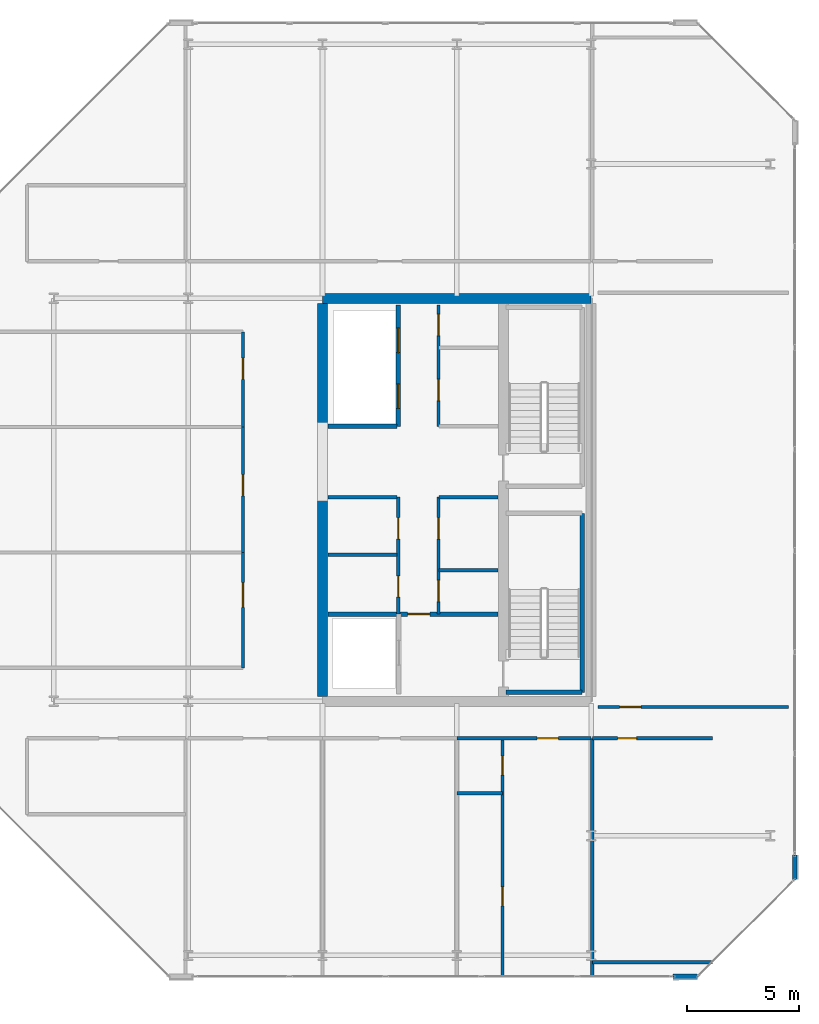
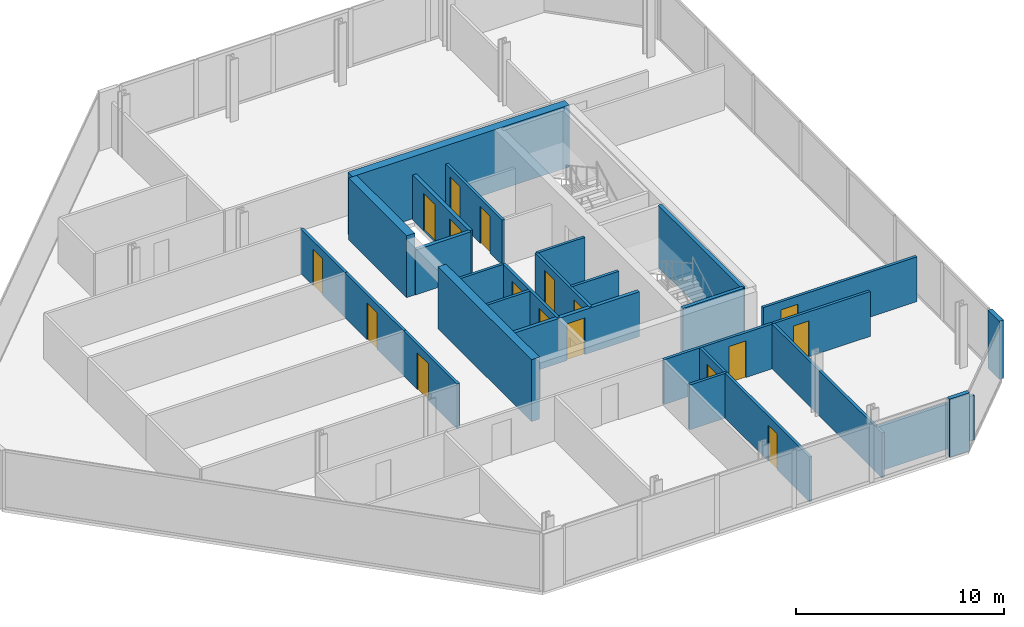
# One storey, part 14 of 17: 27 walls, 17 doors, 17 openings.
"""IFC4 building model written with IfcOpenShell, lengths in metres."""

from ifc_helpers import new_model, si_unit, direction, frame, frame_2d, origin, place, context, subcontext, project, spatial, rectangle, extrude, material, layer, layer_set, type_object, element, fill, save


model = new_model("IFC4")

# Units and contexts
model_context = context("Model", 3, precision=1e-05, world=origin(), true_north=direction((0.0, 1.0)))
body_context = subcontext(model_context, "Body", "Model", "MODEL_VIEW")
ifc_project = project(units=[si_unit("LENGTHUNIT", "METRE"), si_unit("AREAUNIT", "SQUARE_METRE"), si_unit("VOLUMEUNIT", "CUBIC_METRE"), si_unit("PLANEANGLEUNIT", "RADIAN"), si_unit("MASSUNIT", "GRAM", prefix="KILO")], contexts=[model_context])

# Site, building, storey
site_placement = place(None, origin())
site = spatial("IfcSite", under=ifc_project, at=site_placement, CompositionType="ELEMENT")
building_placement = place(site_placement, origin())
building = spatial("IfcBuilding", under=site, at=building_placement, Name="Tanjung Sevakor Pilgrim Tower", CompositionType="ELEMENT")
storey_placement = place(building_placement, frame((0.0, 0.0, 267.9599609375)))
storey = spatial("IfcBuildingStorey", under=building, at=storey_placement, Name="L75", CompositionType="ELEMENT", Elevation=267.9599609375)

# Walls
ifc_material_1 = material(Name="Concrete C60/75", Category="concrete")
ifc_layer_1 = layer(ifc_material_1, 0.449951171875)
ifc_layer_set_1 = layer_set([ifc_layer_1], Name="WALL-CW-450")
wall_type_1 = type_object("IfcWallType", Name="WALL-CW-450", PredefinedType="SHEAR", material=ifc_layer_set_1)
wall_1_placement = place(storey_placement, frame((90.0, 42.60009765625, 0.0), z_axis=(0.0, 0.0, 1.0), x_axis=(-1.0, 0.0, 0.0)))
element("IfcWall", 1, at=wall_1_placement, inside=storey, type_object=wall_type_1, Name="L75 E Core North Shear Wall", PredefinedType="SHEAR", context=body_context, shape_type="SweptSolid", body=[
    extrude(rectangle(XDim=12.0, YDim=0.449951171875, at=frame_2d((6.0, 0.0))), origin(), (0.0, 0.0, 1.0), 3.630126953125),
])
wall_2_placement = place(storey_placement, frame((78.0, 24.824951171875, 0.0), z_axis=(0.0, 0.0, 1.0), x_axis=(0.0, 1.0, 0.0)))
element("IfcWall", 2, at=wall_2_placement, inside=storey, type_object=wall_type_1, Name="L75 E Core Inner Shear Wall South", PredefinedType="SHEAR", context=body_context, shape_type="SweptSolid", body=[
    extrude(rectangle(XDim=8.97509765625, YDim=0.449951171875, at=frame_2d((4.487548828125, 0.0))), origin(), (0.0, 0.0, 1.0), 3.630126953125),
])
wall_3_placement = place(storey_placement, frame((78.0, 36.800048828125, 0.0), z_axis=(0.0, 0.0, 1.0), x_axis=(0.0, 1.0, 0.0)))
element("IfcWall", 3, at=wall_3_placement, inside=storey, type_object=wall_type_1, Name="L75 E Core Inner Shear Wall North", PredefinedType="SHEAR", context=body_context, shape_type="SweptSolid", body=[
    extrude(rectangle(XDim=5.574951171875, YDim=0.449951171875, at=frame_2d((2.78759765625, 0.0))), origin(), (0.0, 0.0, 1.0), 3.630126953125),
])
ifc_material_2 = material(Name="Concrete C40/50", Category="concrete")
ifc_layer_2 = layer(ifc_material_2, 0.14990234375)
ifc_layer_set_2 = layer_set([ifc_layer_2], Name="WT-COMP-150")
wall_type_2 = type_object("IfcWallType", Name="WT-COMP-150", PredefinedType="SOLIDWALL", material=ifc_layer_set_2)
for number, where, z_axis, x_axis, name in (
    (4, (83.199951171875, 30.449951171875, 0.0), (0.0, 0.0, 1.0), (1.0, 0.0, 0.0), "L75 Partition IW-L75-003"),
    (5, (83.199951171875, 33.719970703125, 0.0), (0.0, 0.0, 1.0), (1.0, 0.0, 0.0), "L75 Partition IW-L75-004"),
):
    element("IfcWall", number, at=place(storey_placement, frame(where, z_axis=z_axis, x_axis=x_axis)), inside=storey, type_object=wall_type_2, Name=name, PredefinedType="SOLIDWALL", context=body_context, shape_type="SweptSolid", body=[
        extrude(rectangle(XDim=2.630126953125, YDim=0.14990234375, at=frame_2d((1.31494140625, 0.0))), origin(), (0.0, 0.0, 1.0), 2.6298828125),
    ])

# Wall, openings, doors
wall_4_placement = place(storey_placement, frame((83.179931640625, 28.5, 0.0), z_axis=(0.0, 0.0, 1.0), x_axis=(0.0, 1.0, 0.0)))
wall_4 = element("IfcWall", 6, at=wall_4_placement, inside=storey, type_object=wall_type_2, Name="L75 Partition IW-L75-005", PredefinedType="SOLIDWALL", context=body_context, shape_type="SweptSolid", body=[
    extrude(rectangle(XDim=5.219970703125, YDim=0.14990234375, at=frame_2d((2.60986328125, 0.0))), origin(), (0.0, 0.0, 1.0), 2.6298828125),
])
opening_1_placement = place(wall_4_placement, frame((0.550048828125, 0.0, 0.0)))
opening_1 = element("IfcOpeningElement", 7, at=opening_1_placement, cuts=wall_4, Name="Opening ID-FD2", PredefinedType="OPENING", context=body_context, shape_type="SweptSolid", body=[
    extrude(rectangle(XDim=0.949951171875, YDim=2.14990234375, at=frame_2d((0.47509765625, 1.074951171875))), frame((0.0, 0.0849609375, 0.0), z_axis=(0.0, -1.0, 0.0), x_axis=(1.0, 0.0, 0.0)), (0.0, 0.0, 1.0), 0.169921875),
])
opening_2_placement = place(wall_4_placement, frame((3.35009765625, 0.0, 0.0)))
opening_2 = element("IfcOpeningElement", 8, at=opening_2_placement, cuts=wall_4, Name="Opening ID-FD2", PredefinedType="OPENING", context=body_context, shape_type="SweptSolid", body=[
    extrude(rectangle(XDim=0.949951171875, YDim=2.14990234375, at=frame_2d((0.47509765625, 1.074951171875))), frame((0.0, 0.0849609375, 0.0), z_axis=(0.0, -1.0, 0.0), x_axis=(1.0, 0.0, 0.0)), (0.0, 0.0, 1.0), 0.169921875),
])
ifc_material_3 = material(Name="Fire-Rated Timber", Category="wood")
door_type_1 = type_object("IfcDoorType", Name="DT-FIRE-950", OperationType="NOTDEFINED", PredefinedType="DOOR", material=ifc_material_3)
door_1_placement = place(opening_1_placement, origin())
door_1 = element("IfcDoor", 9, at=door_1_placement, inside=storey, type_object=door_type_1, Name="L75 Cleaner Store Door", OperationType="SINGLE_SWING_RIGHT", OverallHeight=2.14990234375, OverallWidth=0.949951171875, PredefinedType="DOOR", context=body_context, shape_type="SweptSolid", body=[
    extrude(rectangle(XDim=0.949951171875, YDim=2.14990234375, at=frame_2d((0.47509765625, 1.074951171875))), frame((0.0, 0.02490234375, 0.0), z_axis=(0.0, -1.0, 0.0), x_axis=(1.0, 0.0, 0.0)), (0.0, 0.0, 1.0), 0.050048828125),
])
fill(opening_1, door_1)
door_2_placement = place(opening_2_placement, origin())
door_2 = element("IfcDoor", 10, at=door_2_placement, inside=storey, type_object=door_type_1, Name="L75 Housekeeping Pantry Door", OperationType="SINGLE_SWING_LEFT", OverallHeight=2.14990234375, OverallWidth=0.949951171875, PredefinedType="DOOR", context=body_context, shape_type="SweptSolid", body=[
    extrude(rectangle(XDim=0.949951171875, YDim=2.14990234375, at=frame_2d((0.47509765625, 1.074951171875))), frame((0.0, 0.02490234375, 0.0), z_axis=(0.0, -1.0, 0.0), x_axis=(1.0, 0.0, 0.0)), (0.0, 0.0, 1.0), 0.050048828125),
])
fill(opening_2, door_2)

# Walls
for number, where, z_axis, x_axis, name in (
    (11, (78.2451171875, 31.14990234375, 0.0), (0.0, 0.0, 1.0), (1.0, 0.0, 0.0), "L75 Partition IW-L75-006"),
    (12, (78.2451171875, 33.719970703125, 0.0), (0.0, 0.0, 1.0), (1.0, 0.0, 0.0), "L75 Partition IW-L75-007"),
):
    element("IfcWall", number, at=place(storey_placement, frame(where, z_axis=z_axis, x_axis=x_axis)), inside=storey, type_object=wall_type_2, Name=name, PredefinedType="SOLIDWALL", context=body_context, shape_type="SweptSolid", body=[
        extrude(rectangle(XDim=3.074951171875, YDim=0.14990234375, at=frame_2d((1.53759765625, 0.0))), origin(), (0.0, 0.0, 1.0), 2.6298828125),
    ])

# Wall, openings, doors
wall_5_placement = place(storey_placement, frame((81.3798828125, 28.5, 0.0), z_axis=(0.0, 0.0, 1.0), x_axis=(0.0, 1.0, 0.0)))
wall_5 = element("IfcWall", 13, at=wall_5_placement, inside=storey, type_object=wall_type_2, Name="L75 Partition IW-L75-008", PredefinedType="SOLIDWALL", context=body_context, shape_type="SweptSolid", body=[
    extrude(rectangle(XDim=5.219970703125, YDim=0.14990234375, at=frame_2d((2.60986328125, 0.0))), origin(), (0.0, 0.0, 1.0), 2.6298828125),
])
opening_3_placement = place(wall_5_placement, frame((0.75, 0.0, 0.0)))
opening_3 = element("IfcOpeningElement", 14, at=opening_3_placement, cuts=wall_5, Name="Opening ID-FD2", PredefinedType="OPENING", context=body_context, shape_type="SweptSolid", body=[
    extrude(rectangle(XDim=0.949951171875, YDim=2.14990234375, at=frame_2d((0.47509765625, 1.074951171875))), frame((0.0, 0.0849609375, 0.0), z_axis=(0.0, -1.0, 0.0), x_axis=(1.0, 0.0, 0.0)), (0.0, 0.0, 1.0), 0.169921875),
])
opening_4_placement = place(wall_5_placement, frame((3.35009765625, 0.0, 0.0)))
opening_4 = element("IfcOpeningElement", 15, at=opening_4_placement, cuts=wall_5, Name="Opening ID-FD2", PredefinedType="OPENING", context=body_context, shape_type="SweptSolid", body=[
    extrude(rectangle(XDim=0.949951171875, YDim=2.14990234375, at=frame_2d((0.47509765625, 1.074951171875))), frame((0.0, 0.0849609375, 0.0), z_axis=(0.0, -1.0, 0.0), x_axis=(1.0, 0.0, 0.0)), (0.0, 0.0, 1.0), 0.169921875),
])
door_3_placement = place(opening_3_placement, origin())
door_3 = element("IfcDoor", 16, at=door_3_placement, inside=storey, type_object=door_type_1, Name="L75 Accessible WC Door", OperationType="SINGLE_SWING_RIGHT", OverallHeight=2.14990234375, OverallWidth=0.949951171875, PredefinedType="DOOR", context=body_context, shape_type="SweptSolid", body=[
    extrude(rectangle(XDim=0.949951171875, YDim=2.14990234375, at=frame_2d((0.47509765625, 1.074951171875))), frame((0.0, 0.02490234375, 0.0), z_axis=(0.0, -1.0, 0.0), x_axis=(1.0, 0.0, 0.0)), (0.0, 0.0, 1.0), 0.050048828125),
])
fill(opening_3, door_3)
door_4_placement = place(opening_4_placement, origin())
door_4 = element("IfcDoor", 17, at=door_4_placement, inside=storey, type_object=door_type_1, Name="L75 Core Service Door", OperationType="SINGLE_SWING_LEFT", OverallHeight=2.14990234375, OverallWidth=0.949951171875, PredefinedType="DOOR", context=body_context, shape_type="SweptSolid", body=[
    extrude(rectangle(XDim=0.949951171875, YDim=2.14990234375, at=frame_2d((0.47509765625, 1.074951171875))), frame((0.0, 0.02490234375, 0.0), z_axis=(0.0, -1.0, 0.0), x_axis=(1.0, 0.0, 0.0)), (0.0, 0.0, 1.0), 0.050048828125),
])
fill(opening_4, door_4)

wall_6_placement = place(storey_placement, frame((83.179931640625, 36.8798828125, 0.0), z_axis=(0.0, 0.0, 1.0), x_axis=(0.0, 1.0, 0.0)))
wall_6 = element("IfcWall", 18, at=wall_6_placement, inside=storey, type_object=wall_type_2, Name="L75 Partition IW-L75-011", PredefinedType="SOLIDWALL", context=body_context, shape_type="SweptSolid", body=[
    extrude(rectangle(XDim=5.420166015625, YDim=0.14990234375, at=frame_2d((2.7099609375, 0.0))), origin(), (0.0, 0.0, 1.0), 2.6298828125),
])
opening_5_placement = place(wall_6_placement, frame((1.14990234375, 0.0, 0.0)))
opening_5 = element("IfcOpeningElement", 19, at=opening_5_placement, cuts=wall_6, Name="Opening ID-FD2", PredefinedType="OPENING", context=body_context, shape_type="SweptSolid", body=[
    extrude(rectangle(XDim=0.949951171875, YDim=2.14990234375, at=frame_2d((0.47509765625, 1.074951171875))), frame((0.0, 0.0849609375, 0.0), z_axis=(0.0, -1.0, 0.0), x_axis=(1.0, 0.0, 0.0)), (0.0, 0.0, 1.0), 0.169921875),
])
opening_6_placement = place(wall_6_placement, frame((4.050048828125, 0.0, 0.0)))
opening_6 = element("IfcOpeningElement", 20, at=opening_6_placement, cuts=wall_6, Name="Opening ID-FD2", PredefinedType="OPENING", context=body_context, shape_type="SweptSolid", body=[
    extrude(rectangle(XDim=0.949951171875, YDim=2.14990234375, at=frame_2d((0.47509765625, 1.074951171875))), frame((0.0, 0.0849609375, 0.0), z_axis=(0.0, -1.0, 0.0), x_axis=(1.0, 0.0, 0.0)), (0.0, 0.0, 1.0), 0.169921875),
])
door_5_placement = place(opening_5_placement, origin())
door_5 = element("IfcDoor", 21, at=door_5_placement, inside=storey, type_object=door_type_1, Name="L75 Core Study Room Door", OperationType="SINGLE_SWING_RIGHT", OverallHeight=2.14990234375, OverallWidth=0.949951171875, PredefinedType="DOOR", context=body_context, shape_type="SweptSolid", body=[
    extrude(rectangle(XDim=0.949951171875, YDim=2.14990234375, at=frame_2d((0.47509765625, 1.074951171875))), frame((0.0, 0.02490234375, 0.0), z_axis=(0.0, -1.0, 0.0), x_axis=(1.0, 0.0, 0.0)), (0.0, 0.0, 1.0), 0.050048828125),
])
fill(opening_5, door_5)
door_6_placement = place(opening_6_placement, origin())
door_6 = element("IfcDoor", 22, at=door_6_placement, inside=storey, type_object=door_type_1, Name="L75 Service Store Door", OperationType="SINGLE_SWING_LEFT", OverallHeight=2.14990234375, OverallWidth=0.949951171875, PredefinedType="DOOR", context=body_context, shape_type="SweptSolid", body=[
    extrude(rectangle(XDim=0.949951171875, YDim=2.14990234375, at=frame_2d((0.47509765625, 1.074951171875))), frame((0.0, 0.02490234375, 0.0), z_axis=(0.0, -1.0, 0.0), x_axis=(1.0, 0.0, 0.0)), (0.0, 0.0, 1.0), 0.050048828125),
])
fill(opening_6, door_6)

# Wall, opening, door
wall_7_placement = place(storey_placement, frame((90.300048828125, 24.35009765625, 0.0), z_axis=(0.0, 0.0, 1.0), x_axis=(1.0, 0.0, 0.0)))
wall_7 = element("IfcWall", 23, at=wall_7_placement, inside=storey, type_object=wall_type_2, Name="L75 Partition IW-L75-022", PredefinedType="SOLIDWALL", context=body_context, shape_type="SweptSolid", body=[
    extrude(rectangle(XDim=8.52001953125, YDim=0.14990234375, at=frame_2d((4.260009765625, 0.0))), origin(), (0.0, 0.0, 1.0), 2.6298828125),
])
opening_7_placement = place(wall_7_placement, frame((0.97509765625, 0.0, 0.0)))
opening_7 = element("IfcOpeningElement", 24, at=opening_7_placement, cuts=wall_7, Name="Opening ID-RM1", PredefinedType="OPENING", context=body_context, shape_type="SweptSolid", body=[
    extrude(rectangle(XDim=0.949951171875, YDim=2.14990234375, at=frame_2d((0.47509765625, 1.074951171875))), frame((0.0, 0.0849609375, 0.0), z_axis=(0.0, -1.0, 0.0), x_axis=(1.0, 0.0, 0.0)), (0.0, 0.0, 1.0), 0.169921875),
])
ifc_material_4 = material(Name="Hardwood Timber", Category="wood")
door_type_2 = type_object("IfcDoorType", Name="DT-INT-950", OperationType="NOTDEFINED", PredefinedType="DOOR", material=ifc_material_4)
door_7_placement = place(opening_7_placement, origin())
door_7 = element("IfcDoor", 25, at=door_7_placement, inside=storey, type_object=door_type_2, Name="L75 East Crown Sanctuary Door", OperationType="SINGLE_SWING_RIGHT", OverallHeight=2.14990234375, OverallWidth=0.949951171875, PredefinedType="DOOR", context=body_context, shape_type="SweptSolid", body=[
    extrude(rectangle(XDim=0.949951171875, YDim=2.14990234375, at=frame_2d((0.47509765625, 1.074951171875))), frame((0.0, 0.02490234375, 0.0), z_axis=(0.0, -1.0, 0.0), x_axis=(1.0, 0.0, 0.0)), (0.0, 0.0, 1.0), 0.050048828125),
])
fill(opening_7, door_7)

# Wall
wall_8_placement = place(storey_placement, frame((90.050048828125, 12.949951171875, 0.0), z_axis=(0.0, 0.0, 1.0), x_axis=(1.0, 0.0, 0.0)))
element("IfcWall", 26, at=wall_8_placement, inside=storey, type_object=wall_type_2, Name="L75 Partition IW-L75-024", PredefinedType="SOLIDWALL", context=body_context, shape_type="SweptSolid", body=[
    extrude(rectangle(XDim=5.369873046875, YDim=0.14990234375, at=frame_2d((2.68505859375, 0.0))), origin(), (0.0, 0.0, 1.0), 2.6298828125),
])

# Wall, opening, door
wall_9_placement = place(storey_placement, frame((90.050048828125, 22.949951171875, 0.0), z_axis=(0.0, 0.0, 1.0), x_axis=(1.0, 0.0, 0.0)))
wall_9 = element("IfcWall", 27, at=wall_9_placement, inside=storey, type_object=wall_type_2, Name="L75 Partition IW-L75-025", PredefinedType="SOLIDWALL", context=body_context, shape_type="SweptSolid", body=[
    extrude(rectangle(XDim=5.369873046875, YDim=0.14990234375, at=frame_2d((2.68505859375, 0.0))), origin(), (0.0, 0.0, 1.0), 2.6298828125),
])
opening_8_placement = place(wall_9_placement, frame((1.125, 0.0, 0.0)))
opening_8 = element("IfcOpeningElement", 28, at=opening_8_placement, cuts=wall_9, Name="Opening ID-WC1", PredefinedType="OPENING", context=body_context, shape_type="SweptSolid", body=[
    extrude(rectangle(XDim=0.85009765625, YDim=2.10009765625, at=frame_2d((0.425048828125, 1.050048828125))), frame((0.0, 0.0849609375, 0.0), z_axis=(0.0, -1.0, 0.0), x_axis=(1.0, 0.0, 0.0)), (0.0, 0.0, 1.0), 0.169921875),
])
ifc_material_5 = material(Name="Moisture-Resistant Timber", Category="wood")
door_type_3 = type_object("IfcDoorType", Name="DT-INT-850", OperationType="NOTDEFINED", PredefinedType="DOOR", material=ifc_material_5)
door_8_placement = place(opening_8_placement, origin())
door_8 = element("IfcDoor", 29, at=door_8_placement, inside=storey, type_object=door_type_3, Name="L75 SE Crown Study Door", OperationType="SINGLE_SWING_LEFT", OverallHeight=2.10009765625, OverallWidth=0.85009765625, PredefinedType="DOOR", context=body_context, shape_type="SweptSolid", body=[
    extrude(rectangle(XDim=0.85009765625, YDim=2.10009765625, at=frame_2d((0.425048828125, 1.050048828125))), frame((0.0, 0.02490234375, 0.0), z_axis=(0.0, -1.0, 0.0), x_axis=(1.0, 0.0, 0.0)), (0.0, 0.0, 1.0), 0.050048828125),
])
fill(opening_8, door_8)

# Wall
wall_10_placement = place(storey_placement, frame((90.050048828125, 12.340087890625, 0.0), z_axis=(0.0, 0.0, 1.0), x_axis=(0.0, 1.0, 0.0)))
element("IfcWall", 30, at=wall_10_placement, inside=storey, type_object=wall_type_2, Name="L75 Partition IW-L75-026", PredefinedType="SOLIDWALL", context=body_context, shape_type="SweptSolid", body=[
    extrude(rectangle(XDim=10.60986328125, YDim=0.14990234375, at=frame_2d((5.304931640625, 0.0))), origin(), (0.0, 0.0, 1.0), 2.6298828125),
])

# Wall, opening, door
wall_11_placement = place(storey_placement, frame((84.0, 22.949951171875, 0.0), z_axis=(0.0, 0.0, 1.0), x_axis=(1.0, 0.0, 0.0)))
wall_11 = element("IfcWall", 31, at=wall_11_placement, inside=storey, type_object=wall_type_2, Name="L75 Partition IW-L75-036", PredefinedType="SOLIDWALL", context=body_context, shape_type="SweptSolid", body=[
    extrude(rectangle(XDim=6.0, YDim=0.14990234375, at=frame_2d((3.0, 0.0))), origin(), (0.0, 0.0, 1.0), 2.6298828125),
])
opening_9_placement = place(wall_11_placement, frame((3.5849609375, 0.0, 0.0)))
opening_9 = element("IfcOpeningElement", 32, at=opening_9_placement, cuts=wall_11, Name="Opening ID-FD2", PredefinedType="OPENING", context=body_context, shape_type="SweptSolid", body=[
    extrude(rectangle(XDim=0.949951171875, YDim=2.14990234375, at=frame_2d((0.47509765625, 1.074951171875))), frame((0.0, 0.0849609375, 0.0), z_axis=(0.0, -1.0, 0.0), x_axis=(1.0, 0.0, 0.0)), (0.0, 0.0, 1.0), 0.169921875),
])
door_9_placement = place(opening_9_placement, origin())
door_9 = element("IfcDoor", 33, at=door_9_placement, inside=storey, type_object=door_type_1, Name="Hotel Guestroom Entrance", OperationType="SINGLE_SWING_LEFT", OverallHeight=2.14990234375, OverallWidth=0.949951171875, PredefinedType="DOOR", context=body_context, shape_type="SweptSolid", body=[
    extrude(rectangle(XDim=0.949951171875, YDim=2.14990234375, at=frame_2d((0.47509765625, 1.074951171875))), frame((0.0, 0.02490234375, 0.0), z_axis=(0.0, -1.0, 0.0), x_axis=(1.0, 0.0, 0.0)), (0.0, 0.0, 1.0), 0.050048828125),
])
fill(opening_9, door_9)

wall_12_placement = place(storey_placement, frame((74.449951171875, 26.10009765625, 0.0), z_axis=(0.0, 0.0, 1.0), x_axis=(0.0, 1.0, 0.0)))
wall_12 = element("IfcWall", 34, at=wall_12_placement, inside=storey, type_object=wall_type_2, Name="L75 Partition IW-L75-041", PredefinedType="SOLIDWALL", context=body_context, shape_type="SweptSolid", body=[
    extrude(rectangle(XDim=5.14990234375, YDim=0.14990234375, at=frame_2d((2.574951171875, 0.0))), origin(), (0.0, 0.0, 1.0), 2.6298828125),
])
opening_10_placement = place(wall_12_placement, frame((2.699951171875, 0.0, 0.0)))
opening_10 = element("IfcOpeningElement", 35, at=opening_10_placement, cuts=wall_12, Name="Opening ID-RM2", PredefinedType="OPENING", context=body_context, shape_type="SweptSolid", body=[
    extrude(rectangle(XDim=1.10009765625, YDim=2.14990234375, at=frame_2d((0.550048828125, 1.074951171875))), frame((0.0, 0.0849609375, 0.0), z_axis=(0.0, -1.0, 0.0), x_axis=(1.0, 0.0, 0.0)), (0.0, 0.0, 1.0), 0.169921875),
])
ifc_material_6 = material(Name="Hardwood Timber", Category="wood")
door_type_4 = type_object("IfcDoorType", Name="DT-INT-1100", OperationType="NOTDEFINED", PredefinedType="DOOR", material=ifc_material_6)
door_10_placement = place(opening_10_placement, origin())
door_10 = element("IfcDoor", 36, at=door_10_placement, inside=storey, type_object=door_type_4, Name="L75 South Peak Lounge Door", OperationType="SINGLE_SWING_LEFT", OverallHeight=2.14990234375, OverallWidth=1.10009765625, PredefinedType="DOOR", context=body_context, shape_type="SweptSolid", body=[
    extrude(rectangle(XDim=1.10009765625, YDim=2.14990234375, at=frame_2d((0.550048828125, 1.074951171875))), frame((0.0, 0.02490234375, 0.0), z_axis=(0.0, -1.0, 0.0), x_axis=(1.0, 0.0, 0.0)), (0.0, 0.0, 1.0), 0.050048828125),
])
fill(opening_10, door_10)

wall_13_placement = place(storey_placement, frame((74.449951171875, 31.25, 0.0), z_axis=(0.0, 0.0, 1.0), x_axis=(0.0, 1.0, 0.0)))
wall_13 = element("IfcWall", 37, at=wall_13_placement, inside=storey, type_object=wall_type_2, Name="L75 Partition IW-L75-044", PredefinedType="SOLIDWALL", context=body_context, shape_type="SweptSolid", body=[
    extrude(rectangle(XDim=5.60009765625, YDim=0.14990234375, at=frame_2d((2.800048828125, 0.0))), origin(), (0.0, 0.0, 1.0), 2.6298828125),
])
opening_11_placement = place(wall_13_placement, frame((2.52490234375, 0.0, 0.0)))
opening_11 = element("IfcOpeningElement", 38, at=opening_11_placement, cuts=wall_13, Name="Opening ID-RM1", PredefinedType="OPENING", context=body_context, shape_type="SweptSolid", body=[
    extrude(rectangle(XDim=0.949951171875, YDim=2.14990234375, at=frame_2d((0.47509765625, 1.074951171875))), frame((0.0, 0.0849609375, 0.0), z_axis=(0.0, -1.0, 0.0), x_axis=(1.0, 0.0, 0.0)), (0.0, 0.0, 1.0), 0.169921875),
])
door_11_placement = place(opening_11_placement, origin())
door_11 = element("IfcDoor", 39, at=door_11_placement, inside=storey, type_object=door_type_2, Name="L75 Mid Peak Study Door", OperationType="SINGLE_SWING_RIGHT", OverallHeight=2.14990234375, OverallWidth=0.949951171875, PredefinedType="DOOR", context=body_context, shape_type="SweptSolid", body=[
    extrude(rectangle(XDim=0.949951171875, YDim=2.14990234375, at=frame_2d((0.47509765625, 1.074951171875))), frame((0.0, 0.02490234375, 0.0), z_axis=(0.0, -1.0, 0.0), x_axis=(1.0, 0.0, 0.0)), (0.0, 0.0, 1.0), 0.050048828125),
])
fill(opening_11, door_11)

wall_14_placement = place(storey_placement, frame((74.449951171875, 36.85009765625, 0.0), z_axis=(0.0, 0.0, 1.0), x_axis=(0.0, 1.0, 0.0)))
wall_14 = element("IfcWall", 40, at=wall_14_placement, inside=storey, type_object=wall_type_2, Name="L75 Partition IW-L75-047", PredefinedType="SOLIDWALL", context=body_context, shape_type="SweptSolid", body=[
    extrude(rectangle(XDim=4.25, YDim=0.14990234375, at=frame_2d((2.125, 0.0))), origin(), (0.0, 0.0, 1.0), 2.6298828125),
])
opening_12_placement = place(wall_14_placement, frame((2.125, 0.0, 0.0)))
opening_12 = element("IfcOpeningElement", 41, at=opening_12_placement, cuts=wall_14, Name="Opening ID-RM1", PredefinedType="OPENING", context=body_context, shape_type="SweptSolid", body=[
    extrude(rectangle(XDim=0.949951171875, YDim=2.14990234375, at=frame_2d((0.47509765625, 1.074951171875))), frame((0.0, 0.0849609375, 0.0), z_axis=(0.0, -1.0, 0.0), x_axis=(1.0, 0.0, 0.0)), (0.0, 0.0, 1.0), 0.169921875),
])
door_12_placement = place(opening_12_placement, origin())
door_12 = element("IfcDoor", 42, at=door_12_placement, inside=storey, type_object=door_type_2, Name="L75 North Peak Council Door", OperationType="SINGLE_SWING_LEFT", OverallHeight=2.14990234375, OverallWidth=0.949951171875, PredefinedType="DOOR", context=body_context, shape_type="SweptSolid", body=[
    extrude(rectangle(XDim=0.949951171875, YDim=2.14990234375, at=frame_2d((0.47509765625, 1.074951171875))), frame((0.0, 0.02490234375, 0.0), z_axis=(0.0, -1.0, 0.0), x_axis=(1.0, 0.0, 0.0)), (0.0, 0.0, 1.0), 0.050048828125),
])
fill(opening_12, door_12)

# Walls
ifc_material_7 = material(Name="Precast concrete C45/55", Category="concrete")
ifc_layer_3 = layer(ifc_material_7, 0.219970703125)
ifc_layer_set_3 = layer_set([ifc_layer_3], Name="WT-EW-STN4")
wall_type_3 = type_object("IfcWallType", Name="WT-EW-STN4", PredefinedType="SOLIDWALL", material=ifc_layer_set_3)
for number, where, z_axis, x_axis, name in (
    (43, (93.654296875, 12.31005859375, 0.0), (0.0, 0.0, 1.0), (1.0, 0.0, 0.0), "L75 EAST Crown Pier 0-1B"),
    (44, (99.090087890625, 16.6455078125, 0.0), (0.0, 0.0, 1.0), (0.0, 1.0, 0.0), "L75 EAST Crown Pier 2-1A"),
):
    element("IfcWall", number, at=place(storey_placement, frame(where, z_axis=z_axis, x_axis=x_axis)), inside=storey, type_object=wall_type_3, Name=name, PredefinedType="SOLIDWALL", context=body_context, shape_type="SweptSolid", body=[
        extrude(rectangle(XDim=1.10009765625, YDim=0.219970703125, at=frame_2d((0.550048828125, 0.0))), origin(), (0.0, 0.0, 1.0), 3.409912109375),
    ])
ifc_material_8 = material(Name="Concrete C40/50", Category="concrete")
ifc_layer_4 = layer(ifc_material_8, 0.199951171875)
ifc_layer_set_4 = layer_set([ifc_layer_4], Name="WT-FIRE-200")
wall_type_4 = type_object("IfcWallType", Name="WT-FIRE-200", PredefinedType="SOLIDWALL", material=ifc_layer_set_4)
wall_15_placement = place(storey_placement, frame((86.199951171875, 25.0, 0.0), z_axis=(0.0, 0.0, 1.0), x_axis=(1.0, 0.0, 0.0)))
element("IfcWall", 45, at=wall_15_placement, inside=storey, type_object=wall_type_4, Name="L75 TS-E1 Shaft Wall 1", PredefinedType="SOLIDWALL", context=body_context, shape_type="SweptSolid", body=[
    extrude(rectangle(XDim=3.400146484375, YDim=0.199951171875, at=frame_2d((1.7001953125, 0.0))), origin(), (0.0, 0.0, 1.0), 3.630126953125),
])
wall_16_placement = place(storey_placement, frame((89.60009765625, 25.0, 0.0), z_axis=(0.0, 0.0, 1.0), x_axis=(0.0, 1.0, 0.0)))
element("IfcWall", 46, at=wall_16_placement, inside=storey, type_object=wall_type_4, Name="L75 TS-E1 Shaft Wall 2", PredefinedType="SOLIDWALL", context=body_context, shape_type="SweptSolid", body=[
    extrude(rectangle(XDim=8.0, YDim=0.199951171875, at=frame_2d((4.0, 0.0))), origin(), (0.0, 0.0, 1.0), 3.630126953125),
])

# Wall, opening, door
ifc_material_9 = material(Name="Concrete C40/50", Category="concrete")
ifc_layer_5 = layer(ifc_material_9, 0.199951171875)
ifc_layer_set_5 = layer_set([ifc_layer_5], Name="WT-FPRT-200")
wall_type_5 = type_object("IfcWallType", Name="WT-FPRT-200", PredefinedType="SOLIDWALL", material=ifc_layer_set_5)
wall_17_placement = place(storey_placement, frame((78.2451171875, 28.5, 0.0), z_axis=(0.0, 0.0, 1.0), x_axis=(1.0, 0.0, 0.0)))
wall_17 = element("IfcWall", 47, at=wall_17_placement, inside=storey, type_object=wall_type_5, Name="L75 Partition IW-L75-002", PredefinedType="SOLIDWALL", context=body_context, shape_type="SweptSolid", body=[
    extrude(rectangle(XDim=7.5849609375, YDim=0.199951171875, at=frame_2d((3.79248046875, 0.0))), origin(), (0.0, 0.0, 1.0), 2.6298828125),
])
opening_13_placement = place(wall_17_placement, frame((3.554931640625, 0.0, 0.0)))
opening_13 = element("IfcOpeningElement", 48, at=opening_13_placement, cuts=wall_17, Name="Opening ID-FD1", PredefinedType="OPENING", context=body_context, shape_type="SweptSolid", body=[
    extrude(rectangle(XDim=1.0, YDim=2.14990234375, at=frame_2d((0.5, 1.074951171875))), frame((0.0, 0.10986328125, 0.0), z_axis=(0.0, -1.0, 0.0), x_axis=(1.0, 0.0, 0.0)), (0.0, 0.0, 1.0), 0.219970703125),
])
ifc_material_10 = material(Name="Fire-Rated Steel S355J2", Category="steel")
door_type_5 = type_object("IfcDoorType", Name="DT-FIRE-1000", OperationType="NOTDEFINED", PredefinedType="DOOR", material=ifc_material_10)
door_13_placement = place(opening_13_placement, origin())
door_13 = element("IfcDoor", 49, at=door_13_placement, inside=storey, type_object=door_type_5, Name="Fire Lobby Door E", OperationType="SINGLE_SWING_LEFT", OverallHeight=2.14990234375, OverallWidth=1.0, PredefinedType="DOOR", context=body_context, shape_type="SweptSolid", body=[
    extrude(rectangle(XDim=1.0, YDim=2.14990234375, at=frame_2d((0.5, 1.074951171875))), frame((0.0, 0.02490234375, 0.0), z_axis=(0.0, -1.0, 0.0), x_axis=(1.0, 0.0, 0.0)), (0.0, 0.0, 1.0), 0.050048828125),
])
fill(opening_13, door_13)

# Wall
wall_18_placement = place(storey_placement, frame((78.2451171875, 36.8798828125, 0.0), z_axis=(0.0, 0.0, 1.0), x_axis=(1.0, 0.0, 0.0)))
element("IfcWall", 50, at=wall_18_placement, inside=storey, type_object=wall_type_5, Name="L75 Partition IW-L75-012", PredefinedType="SOLIDWALL", context=body_context, shape_type="SweptSolid", body=[
    extrude(rectangle(XDim=3.074951171875, YDim=0.199951171875, at=frame_2d((1.53759765625, 0.0))), origin(), (0.0, 0.0, 1.0), 2.6298828125),
])

# Wall, openings, doors
wall_19_placement = place(storey_placement, frame((81.3798828125, 36.8798828125, 0.0), z_axis=(0.0, 0.0, 1.0), x_axis=(0.0, 1.0, 0.0)))
wall_19 = element("IfcWall", 51, at=wall_19_placement, inside=storey, type_object=wall_type_5, Name="L75 Partition IW-L75-013", PredefinedType="SOLIDWALL", context=body_context, shape_type="SweptSolid", body=[
    extrude(rectangle(XDim=5.420166015625, YDim=0.199951171875, at=frame_2d((2.7099609375, 0.0))), origin(), (0.0, 0.0, 1.0), 2.6298828125),
])
opening_14_placement = place(wall_19_placement, frame((0.800048828125, 0.0, 0.0)))
opening_14 = element("IfcOpeningElement", 52, at=opening_14_placement, cuts=wall_19, Name="Opening LD-1100", PredefinedType="OPENING", context=body_context, shape_type="SweptSolid", body=[
    extrude(rectangle(XDim=1.10009765625, YDim=2.199951171875, at=frame_2d((0.550048828125, 1.10009765625))), frame((0.0, 0.10986328125, 0.0), z_axis=(0.0, -1.0, 0.0), x_axis=(1.0, 0.0, 0.0)), (0.0, 0.0, 1.0), 0.219970703125),
])
opening_15_placement = place(wall_19_placement, frame((3.300048828125, 0.0, 0.0)))
opening_15 = element("IfcOpeningElement", 53, at=opening_15_placement, cuts=wall_19, Name="Opening LD-1100", PredefinedType="OPENING", context=body_context, shape_type="SweptSolid", body=[
    extrude(rectangle(XDim=1.10009765625, YDim=2.199951171875, at=frame_2d((0.550048828125, 1.10009765625))), frame((0.0, 0.10986328125, 0.0), z_axis=(0.0, -1.0, 0.0), x_axis=(1.0, 0.0, 0.0)), (0.0, 0.0, 1.0), 0.219970703125),
])
ifc_material_11 = material(Name="Brushed Stainless Steel S355J2", Category="steel")
door_type_6 = type_object("IfcDoorType", Name="DT-LIFT-1100", OperationType="SLIDING_TO_LEFT", PredefinedType="DOOR", material=ifc_material_11)
door_14_placement = place(opening_14_placement, origin())
door_14 = element("IfcDoor", 54, at=door_14_placement, inside=storey, type_object=door_type_6, Name="LD-PLH1-E", OperationType="SLIDING_TO_LEFT", OverallHeight=2.199951171875, OverallWidth=1.10009765625, PredefinedType="DOOR", context=body_context, shape_type="SweptSolid", body=[
    extrude(rectangle(XDim=1.10009765625, YDim=2.199951171875, at=frame_2d((0.550048828125, 1.10009765625))), frame((0.0, 0.02490234375, 0.0), z_axis=(0.0, -1.0, 0.0), x_axis=(1.0, 0.0, 0.0)), (0.0, 0.0, 1.0), 0.050048828125),
])
fill(opening_14, door_14)
door_15_placement = place(opening_15_placement, origin())
door_15 = element("IfcDoor", 55, at=door_15_placement, inside=storey, type_object=door_type_6, Name="LD-PLH2-E", OperationType="SLIDING_TO_RIGHT", OverallHeight=2.199951171875, OverallWidth=1.10009765625, PredefinedType="DOOR", context=body_context, shape_type="SweptSolid", body=[
    extrude(rectangle(XDim=1.10009765625, YDim=2.199951171875, at=frame_2d((0.550048828125, 1.10009765625))), frame((0.0, 0.02490234375, 0.0), z_axis=(0.0, -1.0, 0.0), x_axis=(1.0, 0.0, 0.0)), (0.0, 0.0, 1.0), 0.050048828125),
])
fill(opening_15, door_15)

# Wall
ifc_material_12 = material(Name="Gypsum Board Partition", Category="gypsum board")
ifc_layer_6 = layer(ifc_material_12, 0.14990234375)
ifc_layer_set_6 = layer_set([ifc_layer_6], Name="WT-PART-150")
wall_type_6 = type_object("IfcWallType", Name="WT-PART-150", PredefinedType="PARTITIONING", material=ifc_layer_set_6)
wall_20_placement = place(storey_placement, frame((84.0, 20.5, 0.0), z_axis=(0.0, 0.0, 1.0), x_axis=(1.0, 0.0, 0.0)))
element("IfcWall", 56, at=wall_20_placement, inside=storey, type_object=wall_type_6, Name="L75 Partition IW-L75-034", PredefinedType="PARTITIONING", context=body_context, shape_type="SweptSolid", body=[
    extrude(rectangle(XDim=2.0400390625, YDim=0.14990234375, at=frame_2d((1.02001953125, 0.0))), origin(), (0.0, 0.0, 1.0), 2.6298828125),
])

# Wall, openings, doors
wall_21_placement = place(storey_placement, frame((86.0400390625, 12.340087890625, 0.0), z_axis=(0.0, 0.0, 1.0), x_axis=(0.0, 1.0, 0.0)))
wall_21 = element("IfcWall", 57, at=wall_21_placement, inside=storey, type_object=wall_type_6, Name="L75 Partition IW-L75-035", PredefinedType="PARTITIONING", context=body_context, shape_type="SweptSolid", body=[
    extrude(rectangle(XDim=10.60986328125, YDim=0.14990234375, at=frame_2d((5.304931640625, 0.0))), origin(), (0.0, 0.0, 1.0), 2.6298828125),
])
opening_16_placement = place(wall_21_placement, frame((3.1240234375, 0.0, 0.0)))
opening_16 = element("IfcOpeningElement", 58, at=opening_16_placement, cuts=wall_21, Name="Opening ID-WC1", PredefinedType="OPENING", context=body_context, shape_type="SweptSolid", body=[
    extrude(rectangle(XDim=0.85009765625, YDim=2.10009765625, at=frame_2d((0.425048828125, 1.050048828125))), frame((0.0, 0.0849609375, 0.0), z_axis=(0.0, -1.0, 0.0), x_axis=(1.0, 0.0, 0.0)), (0.0, 0.0, 1.0), 0.169921875),
])
opening_17_placement = place(wall_21_placement, frame((8.9599609375, 0.0, 0.0)))
opening_17 = element("IfcOpeningElement", 59, at=opening_17_placement, cuts=wall_21, Name="Opening ID-WC1", PredefinedType="OPENING", context=body_context, shape_type="SweptSolid", body=[
    extrude(rectangle(XDim=0.85009765625, YDim=2.10009765625, at=frame_2d((0.425048828125, 1.050048828125))), frame((0.0, 0.0849609375, 0.0), z_axis=(0.0, -1.0, 0.0), x_axis=(1.0, 0.0, 0.0)), (0.0, 0.0, 1.0), 0.169921875),
])
door_16_placement = place(opening_16_placement, origin())
door_16 = element("IfcDoor", 60, at=door_16_placement, inside=storey, type_object=door_type_3, Name="Study Nook Door", OperationType="SINGLE_SWING_LEFT", OverallHeight=2.10009765625, OverallWidth=0.85009765625, PredefinedType="DOOR", context=body_context, shape_type="SweptSolid", body=[
    extrude(rectangle(XDim=0.85009765625, YDim=2.10009765625, at=frame_2d((0.425048828125, 1.050048828125))), frame((0.0, 0.02490234375, 0.0), z_axis=(0.0, -1.0, 0.0), x_axis=(1.0, 0.0, 0.0)), (0.0, 0.0, 1.0), 0.050048828125),
])
fill(opening_16, door_16)
door_17_placement = place(opening_17_placement, origin())
door_17 = element("IfcDoor", 61, at=door_17_placement, inside=storey, type_object=door_type_3, Name="Bathroom Door", OperationType="SINGLE_SWING_RIGHT", OverallHeight=2.10009765625, OverallWidth=0.85009765625, PredefinedType="DOOR", context=body_context, shape_type="SweptSolid", body=[
    extrude(rectangle(XDim=0.85009765625, YDim=2.10009765625, at=frame_2d((0.425048828125, 1.050048828125))), frame((0.0, 0.02490234375, 0.0), z_axis=(0.0, -1.0, 0.0), x_axis=(1.0, 0.0, 0.0)), (0.0, 0.0, 1.0), 0.050048828125),
])
fill(opening_17, door_17)

save(model, "model.ifc")
